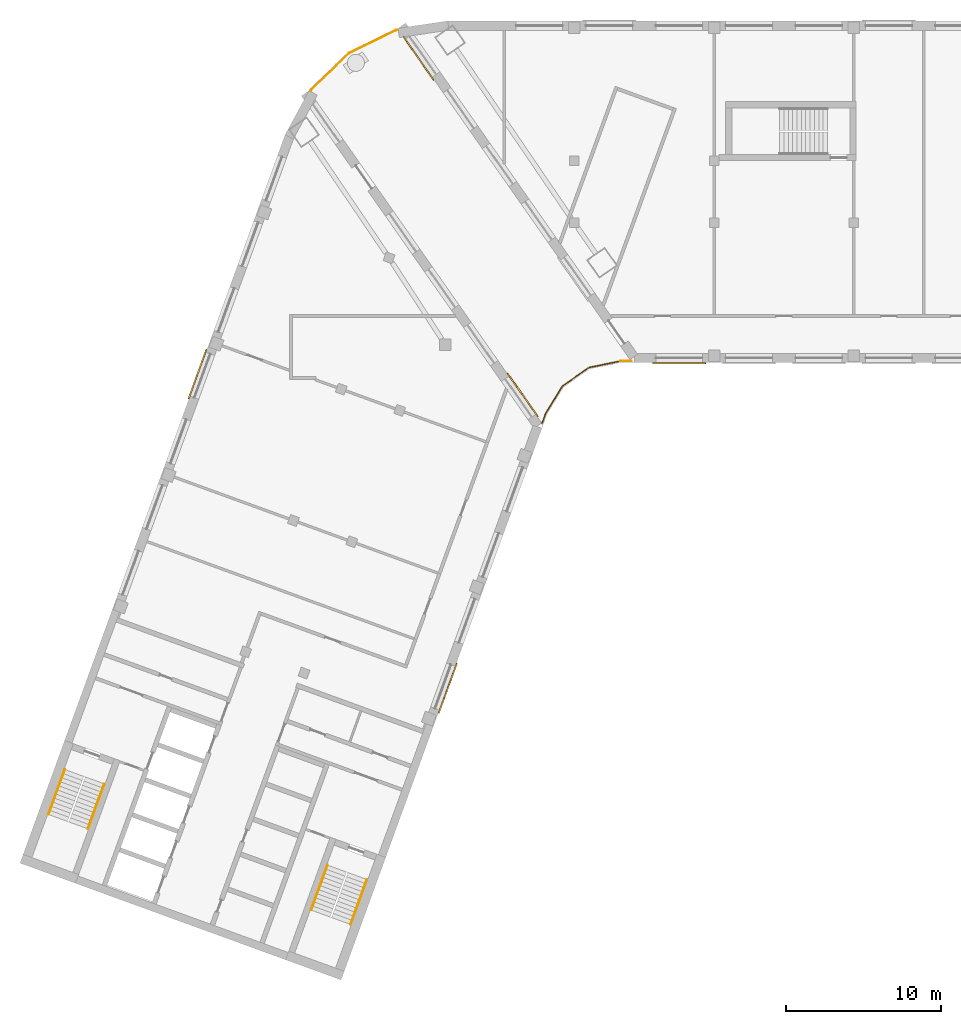
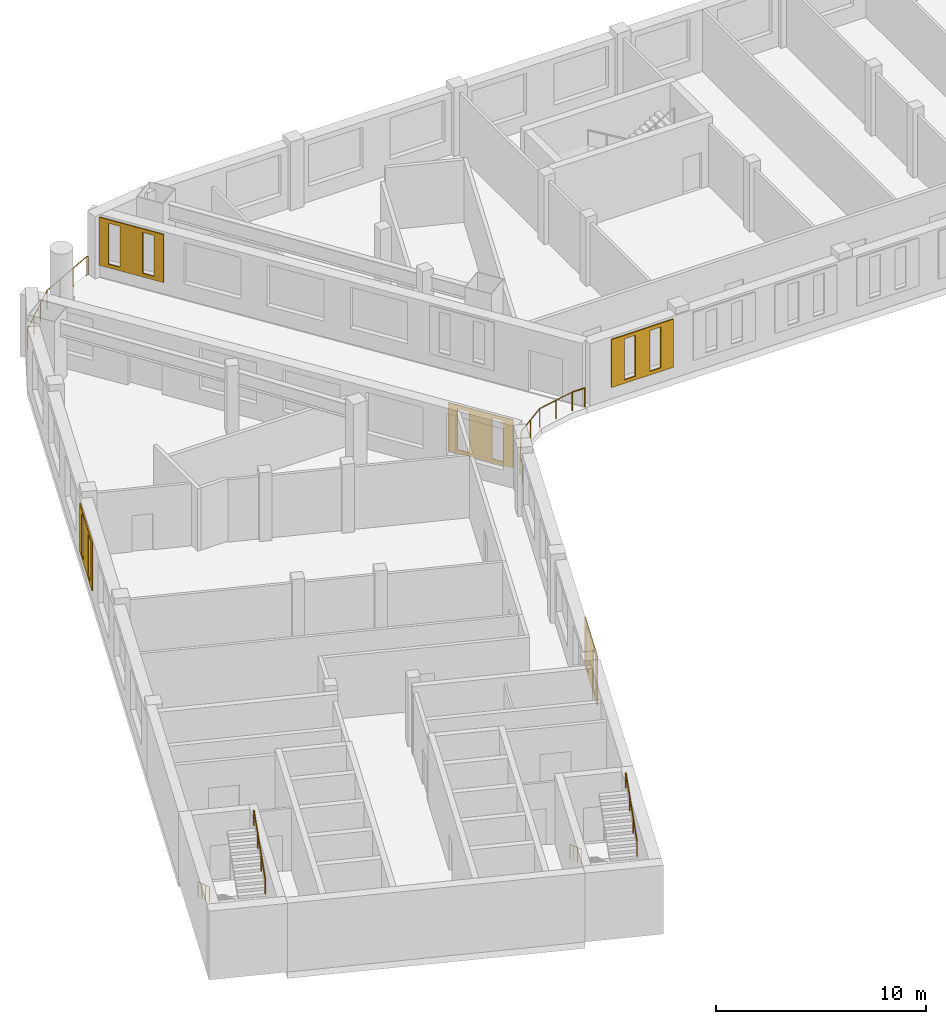
# One storey, part 8 of 11: 7 railings, 5 coverings.
"""IFC4 building model written with IfcOpenShell, lengths in metres."""

from ifc_helpers import new_model, si_unit, direction, frame, origin, origin_2d, place, context, subcontext, project, spatial, polyline, circle, outline, extrude, material, material_profile, profile_set, type_object, element, save


model = new_model("IFC4")

# Units and contexts
model_context = context("Model", 3, precision=1e-05, world=origin(), true_north=direction((0.0, 1.0)))
body_context = subcontext(model_context, "Body", "Model", "MODEL_VIEW")
ifc_project = project(units=[si_unit("LENGTHUNIT", "METRE"), si_unit("AREAUNIT", "SQUARE_METRE"), si_unit("VOLUMEUNIT", "CUBIC_METRE"), si_unit("PLANEANGLEUNIT", "RADIAN"), si_unit("MASSUNIT", "GRAM", prefix="KILO")], contexts=[model_context])

# Site, building, storey
site_placement = place(None, origin())
site = spatial("IfcSite", under=ifc_project, at=site_placement, CompositionType="ELEMENT")
building_placement = place(site_placement, origin())
building = spatial("IfcBuilding", under=site, at=building_placement, Name="Skarvind Civic Tower", CompositionType="ELEMENT")
storey_placement = place(building_placement, frame((0.0, 0.0, 212.0)))
storey = spatial("IfcBuildingStorey", under=building, at=storey_placement, Name="L50", CompositionType="ELEMENT", Elevation=212.0)

# Railings
ifc_material_1 = material(Name="Stainless steel balustrade", Category="steel")
railing_type_1 = type_object("IfcRailingType", Name="GR1 GUARD 1100", PredefinedType="GUARDRAIL", material=ifc_material_1)
railing_1_placement = place(storey_placement, frame((57.215087890625, 117.097900390625, 0.0)))
element("IfcRailing", 1, at=railing_1_placement, inside=storey, type_object=railing_type_1, Name="TERRACE GUARD", PredefinedType="GUARDRAIL", context=body_context, shape_type="SweptSolid", body=[
    extrude(circle(Radius=0.02392578125, at=origin_2d()), frame((0.0, 0.0, 1.076171875), z_axis=(-0.979961337444, -0.199187793589, 0.0), x_axis=(0.199187793589, -0.979961337444, 0.0)), (0.0, 0.0, 1.0), 2.062744140625),
    extrude(circle(Radius=0.02392578125, at=origin_2d()), frame((-2.021484375, -0.410888671875, 1.076171875), z_axis=(-0.819143848461, -0.573588141028, 0.0), x_axis=(0.573588141028, -0.819143848461, 0.0)), (0.0, 0.0, 1.0), 2.083984375),
    extrude(circle(Radius=0.02392578125, at=origin_2d()), frame((-3.728515625, -1.606201171875, 1.076171875), z_axis=(-0.522473695222, -0.8526554039, 0.0), x_axis=(0.8526554039, -0.522473695222, 0.0)), (0.0, 0.0, 1.0), 2.0732421875),
    extrude(circle(Radius=0.02392578125, at=origin_2d()), frame((-4.811767578125, -3.3740234375, 1.076171875), z_axis=(-0.341942212407, -0.939720981661, 0.0), x_axis=(0.939720981661, -0.341942212407, 0.0)), (0.0, 0.0, 1.0), 0.68896484375),
    extrude(circle(Radius=0.02099609375, at=origin_2d()), origin(), (0.0, 0.0, 1.0), 1.052001953125),
    extrude(circle(Radius=0.02099609375, at=origin_2d()), frame((-1.0107421875, -0.20556640625, 0.0)), (0.0, 0.0, 1.0), 1.052001953125),
    extrude(circle(Radius=0.02099609375, at=origin_2d()), frame((-2.021484375, -0.410888671875, 0.0)), (0.0, 0.0, 1.0), 1.052001953125),
    extrude(circle(Radius=0.02099609375, at=origin_2d()), frame((-2.875, -1.008544921875, 0.0)), (0.0, 0.0, 1.0), 1.052001953125),
    extrude(circle(Radius=0.02099609375, at=origin_2d()), frame((-3.728515625, -1.606201171875, 0.0)), (0.0, 0.0, 1.0), 1.052001953125),
    extrude(circle(Radius=0.02099609375, at=origin_2d()), frame((-4.27001953125, -2.490234375, 0.0)), (0.0, 0.0, 1.0), 1.052001953125),
    extrude(circle(Radius=0.02099609375, at=origin_2d()), frame((-4.811767578125, -3.3740234375, 0.0)), (0.0, 0.0, 1.0), 1.052001953125),
    extrude(circle(Radius=0.02099609375, at=origin_2d()), frame((-5.04736328125, -4.021484375, 0.0)), (0.0, 0.0, 1.0), 1.052001953125),
])
railing_2_placement = place(storey_placement, frame((37.280517578125, 134.50634765625, 0.0)))
element("IfcRailing", 2, at=railing_2_placement, inside=storey, type_object=railing_type_1, Name="TERRACE GUARD", PredefinedType="GUARDRAIL", context=body_context, shape_type="SweptSolid", body=[
    extrude(circle(Radius=0.02392578125, at=origin_2d()), frame((0.0, 0.0, 1.076171875), z_axis=(0.475414519163, 0.879761919481, 0.0), x_axis=(-0.879761919481, 0.475414519163, 0.0)), (0.0, 0.0, 1.0), 0.099609375),
    extrude(circle(Radius=0.02392578125, at=origin_2d()), frame((0.04736328125, 0.087646484375, 1.076171875), z_axis=(0.721198618013, 0.692728340243, 0.0), x_axis=(-0.692728340243, 0.721198618013, 0.0)), (0.0, 0.0, 1.0), 3.361572265625),
    extrude(circle(Radius=0.02392578125, at=origin_2d()), frame((2.4716796875, 2.416259765625, 1.076171875), z_axis=(0.897628432025, 0.440752989803, 0.0), x_axis=(-0.440752989803, 0.897628432025, 0.0)), (0.0, 0.0, 1.0), 3.36181640625),
    extrude(circle(Radius=0.02392578125, at=origin_2d()), frame((5.4892578125, 3.89794921875, 1.076171875), z_axis=(0.989097785224, 0.147260216162, 0.0), x_axis=(-0.147260216162, 0.989097785224, 0.0)), (0.0, 0.0, 1.0), 0.099365234375),
    extrude(circle(Radius=0.02099609375, at=origin_2d()), origin(), (0.0, 0.0, 1.0), 1.052001953125),
    extrude(circle(Radius=0.02099609375, at=origin_2d()), frame((0.04736328125, 0.087646484375, 0.0)), (0.0, 0.0, 1.0), 1.052001953125),
    extrude(circle(Radius=0.02099609375, at=origin_2d()), frame((0.85546875, 0.86376953125, 0.0)), (0.0, 0.0, 1.0), 1.052001953125),
    extrude(circle(Radius=0.02099609375, at=origin_2d()), frame((1.66357421875, 1.64013671875, 0.0)), (0.0, 0.0, 1.0), 1.052001953125),
    extrude(circle(Radius=0.02099609375, at=origin_2d()), frame((2.4716796875, 2.416259765625, 0.0)), (0.0, 0.0, 1.0), 1.052001953125),
    extrude(circle(Radius=0.02099609375, at=origin_2d()), frame((3.4775390625, 2.91015625, 0.0)), (0.0, 0.0, 1.0), 1.052001953125),
    extrude(circle(Radius=0.02099609375, at=origin_2d()), frame((4.4833984375, 3.404052734375, 0.0)), (0.0, 0.0, 1.0), 1.052001953125),
    extrude(circle(Radius=0.02099609375, at=origin_2d()), frame((5.4892578125, 3.89794921875, 0.0)), (0.0, 0.0, 1.0), 1.052001953125),
    extrude(circle(Radius=0.02099609375, at=origin_2d()), frame((5.587646484375, 3.91259765625, 0.0)), (0.0, 0.0, 1.0), 1.052001953125),
])
railing_3_placement = place(storey_placement, frame((57.9140625, 117.10009765625, 0.0)))
element("IfcRailing", 3, at=railing_3_placement, inside=storey, type_object=railing_type_1, Name="TERRACE GUARD", PredefinedType="GUARDRAIL", context=body_context, shape_type="SweptSolid", body=[
    extrude(circle(Radius=0.02392578125, at=origin_2d()), frame((0.0, 0.0, 1.076171875), z_axis=(-1.0, 0.0, 0.0), x_axis=(0.0, -1.0, 0.0)), (0.0, 0.0, 1.0), 0.678955078125),
    extrude(circle(Radius=0.02099609375, at=origin_2d()), origin(), (0.0, 0.0, 1.0), 1.052001953125),
    extrude(circle(Radius=0.02099609375, at=origin_2d()), frame((-0.678955078125, 0.0, 0.0)), (0.0, 0.0, 1.0), 1.052001953125),
])
ifc_material_2 = material(Name="Painted steel handrail", Category="steel")
railing_type_2 = type_object("IfcRailingType", Name="Stair handrail 900", PredefinedType="HANDRAIL", material=ifc_material_2)
railing_4_placement = place(storey_placement, frame((38.362060546875, 84.64794921875, 0.166748046875)))
element("IfcRailing", 4, at=railing_4_placement, inside=storey, type_object=railing_type_2, Name="Stair handrail", PredefinedType="HANDRAIL", context=body_context, shape_type="SweptSolid", body=[
    extrude(circle(Radius=0.02392578125, at=origin_2d()), frame((0.0, 0.0, 0.8759765625), z_axis=(-0.293908055923, -0.807480881337, 0.511461319103), x_axis=(0.939689235759, -0.342029443467, 0.0)), (0.0, 0.0, 1.0), 3.584228515625),
    extrude(circle(Radius=0.02099609375, at=origin_2d()), origin(), (0.0, 0.0, 1.0), 0.851806640625),
    extrude(circle(Radius=0.02099609375, at=origin_2d()), frame((-0.35107421875, -0.96484375, 0.611083984375)), (0.0, 0.0, 1.0), 0.851806640625),
    extrude(circle(Radius=0.02099609375, at=origin_2d()), frame((-0.702392578125, -1.929443359375, 1.22216796875)), (0.0, 0.0, 1.0), 0.851806640625),
    extrude(circle(Radius=0.02099609375, at=origin_2d()), frame((-1.053466796875, -2.894287109375, 1.833251953125)), (0.0, 0.0, 1.0), 0.851806640625),
])
railing_5_placement = place(storey_placement, frame((39.845703125, 80.830078125, 2.166748046875)))
element("IfcRailing", 5, at=railing_5_placement, inside=storey, type_object=railing_type_2, Name="Stair handrail", PredefinedType="HANDRAIL", context=body_context, shape_type="SweptSolid", body=[
    extrude(circle(Radius=0.02392578125, at=origin_2d()), frame((0.0, 0.0, 0.8759765625), z_axis=(0.293908055923, 0.807480881337, 0.511461319103), x_axis=(-0.939689235759, 0.342029443467, 0.0)), (0.0, 0.0, 1.0), 3.584228515625),
    extrude(circle(Radius=0.02099609375, at=origin_2d()), origin(), (0.0, 0.0, 1.0), 0.851806640625),
    extrude(circle(Radius=0.02099609375, at=origin_2d()), frame((0.35107421875, 0.96484375, 0.611083984375)), (0.0, 0.0, 1.0), 0.851806640625),
    extrude(circle(Radius=0.02099609375, at=origin_2d()), frame((0.702392578125, 1.929443359375, 1.22216796875)), (0.0, 0.0, 1.0), 0.851806640625),
    extrude(circle(Radius=0.02099609375, at=origin_2d()), frame((1.053466796875, 2.894287109375, 1.833251953125)), (0.0, 0.0, 1.0), 0.851806640625),
])
railing_6_placement = place(storey_placement, frame((21.447509765625, 90.80419921875, 0.166748046875)))
element("IfcRailing", 6, at=railing_6_placement, inside=storey, type_object=railing_type_2, Name="Stair handrail", PredefinedType="HANDRAIL", context=body_context, shape_type="SweptSolid", body=[
    extrude(circle(Radius=0.02392578125, at=origin_2d()), frame((0.0, 0.0, 0.8759765625), z_axis=(-0.293845824691, -0.807497044902, 0.511471557163), x_axis=(0.939714709796, -0.34195944817, 0.0)), (0.0, 0.0, 1.0), 3.584228515625),
    extrude(circle(Radius=0.02099609375, at=origin_2d()), origin(), (0.0, 0.0, 1.0), 0.851806640625),
    extrude(circle(Radius=0.02099609375, at=origin_2d()), frame((-0.35107421875, -0.96484375, 0.611083984375)), (0.0, 0.0, 1.0), 0.851806640625),
    extrude(circle(Radius=0.02099609375, at=origin_2d()), frame((-0.7021484375, -1.929443359375, 1.22216796875)), (0.0, 0.0, 1.0), 0.851806640625),
    extrude(circle(Radius=0.02099609375, at=origin_2d()), frame((-1.05322265625, -2.894287109375, 1.833251953125)), (0.0, 0.0, 1.0), 0.851806640625),
])
railing_7_placement = place(storey_placement, frame((22.931396484375, 86.986572265625, 2.166748046875)))
element("IfcRailing", 7, at=railing_7_placement, inside=storey, type_object=railing_type_2, Name="Stair handrail", PredefinedType="HANDRAIL", context=body_context, shape_type="SweptSolid", body=[
    extrude(circle(Radius=0.02392578125, at=origin_2d()), frame((0.0, 0.0, 0.8759765625), z_axis=(0.293908055923, 0.807480881337, 0.511461319103), x_axis=(-0.939689235759, 0.342029443467, 0.0)), (0.0, 0.0, 1.0), 3.584228515625),
    extrude(circle(Radius=0.02099609375, at=origin_2d()), origin(), (0.0, 0.0, 1.0), 0.851806640625),
    extrude(circle(Radius=0.02099609375, at=origin_2d()), frame((0.35107421875, 0.96484375, 0.611083984375)), (0.0, 0.0, 1.0), 0.851806640625),
    extrude(circle(Radius=0.02099609375, at=origin_2d()), frame((0.702392578125, 1.929443359375, 1.22216796875)), (0.0, 0.0, 1.0), 0.851806640625),
    extrude(circle(Radius=0.02099609375, at=origin_2d()), frame((1.053466796875, 2.894287109375, 1.833251953125)), (0.0, 0.0, 1.0), 0.851806640625),
])

# Coverings
ifc_material_3 = material(Name="Terracotta", Category="masonry")
ifc_material_profile_1 = material_profile(ifc_material_3, outline(polyline([(-1.699951171875, -1.39990234375), (1.699951171875, -1.39990234375), (1.699951171875, 1.39990234375), (-1.699951171875, 1.39990234375), (-1.699951171875, -1.39990234375)]), holes=[polyline([(-1.0, -1.18994140625), (-0.39990234375, -1.18994140625), (-0.39990234375, 1.18994140625), (-1.0, 1.18994140625), (-1.0, -1.18994140625)]), polyline([(0.39990234375, -1.18994140625), (1.0, -1.18994140625), (1.0, 1.18994140625), (0.39990234375, 1.18994140625), (0.39990234375, -1.18994140625)])]), Name="TERRACOTTA SCREEN 3400 x 2800, SLIT PITCH 1400")
ifc_profile_set_1 = profile_set([ifc_material_profile_1], Name="Terracotta")
covering_type_1 = type_object("IfcCoveringType", Name="TERRACOTTA SCREEN 3400 x 2800, SLIT PITCH 1400", PredefinedType="CLADDING", material=ifc_profile_set_1)
covering_1_placement = place(storey_placement, frame((61.0, 117.0, 2.10009765625), z_axis=(0.0, -1.0, 0.0), x_axis=(1.0, 0.0, 0.0)))
element("IfcCovering", 8, at=covering_1_placement, inside=storey, type_object=covering_type_1, Name="TERRACOTTA SCREEN", PredefinedType="CLADDING", context=body_context, shape_type="SweptSolid", body=[
    extrude(outline(polyline([(-1.699951171875, -1.39990234375), (1.699951171875, -1.39990234375), (1.699951171875, 1.39990234375), (-1.699951171875, 1.39990234375), (-1.699951171875, -1.39990234375)]), holes=[polyline([(-1.0, -1.18994140625), (-0.39990234375, -1.18994140625), (-0.39990234375, 1.18994140625), (-1.0, 1.18994140625), (-1.0, -1.18994140625)]), polyline([(0.39990234375, -1.18994140625), (1.0, -1.18994140625), (1.0, 1.18994140625), (0.39990234375, 1.18994140625), (0.39990234375, -1.18994140625)])]), origin(), (0.0, 0.0, 1.0), 0.06005859375),
])
ifc_material_profile_2 = material_profile(ifc_material_3, outline(polyline([(-1.699951171875, -1.39990234375), (1.699951171875, -1.39990234375), (1.699951171875, 1.39990234375), (-1.699951171875, 1.39990234375), (-1.699951171875, -1.39990234375)]), holes=[polyline([(-1.199951171875, -1.18994140625), (-0.60009765625, -1.18994140625), (-0.60009765625, 1.18994140625), (-1.199951171875, 1.18994140625), (-1.199951171875, -1.18994140625)]), polyline([(0.60009765625, -1.18994140625), (1.199951171875, -1.18994140625), (1.199951171875, 1.18994140625), (0.60009765625, 1.18994140625), (0.60009765625, -1.18994140625)])]), Name="TERRACOTTA SCREEN 3400 x 2800, SLIT PITCH 1800")
ifc_profile_set_2 = profile_set([ifc_material_profile_2], Name="Terracotta")
covering_type_2 = type_object("IfcCoveringType", Name="TERRACOTTA SCREEN 3400 x 2800, SLIT PITCH 1800", PredefinedType="CLADDING", material=ifc_profile_set_2)
covering_2_placement = place(storey_placement, frame((44.244873046875, 136.6083984375, 2.10009765625), z_axis=(-0.820572225759, -0.571542843812, 0.0), x_axis=(0.571542843812, -0.820572225759, 0.0)))
element("IfcCovering", 9, at=covering_2_placement, inside=storey, type_object=covering_type_2, Name="TERRACOTTA SCREEN", PredefinedType="CLADDING", context=body_context, shape_type="SweptSolid", body=[
    extrude(outline(polyline([(-1.699951171875, -1.39990234375), (1.699951171875, -1.39990234375), (1.699951171875, 1.39990234375), (-1.699951171875, 1.39990234375), (-1.699951171875, -1.39990234375)]), holes=[polyline([(-1.199951171875, -1.18994140625), (-0.60009765625, -1.18994140625), (-0.60009765625, 1.18994140625), (-1.199951171875, 1.18994140625), (-1.199951171875, -1.18994140625)]), polyline([(0.60009765625, -1.18994140625), (1.199951171875, -1.18994140625), (1.199951171875, 1.18994140625), (0.60009765625, 1.18994140625), (0.60009765625, -1.18994140625)])]), origin(), (0.0, 0.0, 1.0), 0.059814453125),
])
for number, where, z_axis, x_axis, name in (
    (10, (46.075927734375, 96.047119140625, 2.10009765625), (0.939793423488, -0.341743063087, 0.0), (0.341743063087, 0.939793423488, 0.0), "TERRACOTTA SCREEN"),
    (11, (50.89892578125, 114.901611328125, 2.10009765625), (0.81865747399, 0.57428210862, 0.0), (-0.57428210862, 0.81865747399, 0.0), "TERRACOTTA SCREEN"),
    (12, (30.02001953125, 116.25732421875, 2.10009765625), (-0.939793423488, 0.341743063087, 0.0), (-0.341743063087, -0.939793423488, 0.0), "TERRACOTTA SCREEN"),
):
    element("IfcCovering", number, at=place(storey_placement, frame(where, z_axis=z_axis, x_axis=x_axis)), inside=storey, type_object=covering_type_2, Name=name, PredefinedType="CLADDING", context=body_context, shape_type="SweptSolid", body=[
        extrude(outline(polyline([(-1.699951171875, -1.39990234375), (1.699951171875, -1.39990234375), (1.699951171875, 1.39990234375), (-1.699951171875, 1.39990234375), (-1.699951171875, -1.39990234375)]), holes=[polyline([(-1.199951171875, -1.18994140625), (-0.60009765625, -1.18994140625), (-0.60009765625, 1.18994140625), (-1.199951171875, 1.18994140625), (-1.199951171875, -1.18994140625)]), polyline([(0.60009765625, -1.18994140625), (1.199951171875, -1.18994140625), (1.199951171875, 1.18994140625), (0.60009765625, 1.18994140625), (0.60009765625, -1.18994140625)])]), origin(), (0.0, 0.0, 1.0), 0.06005859375),
    ])

save(model, "model.ifc")
